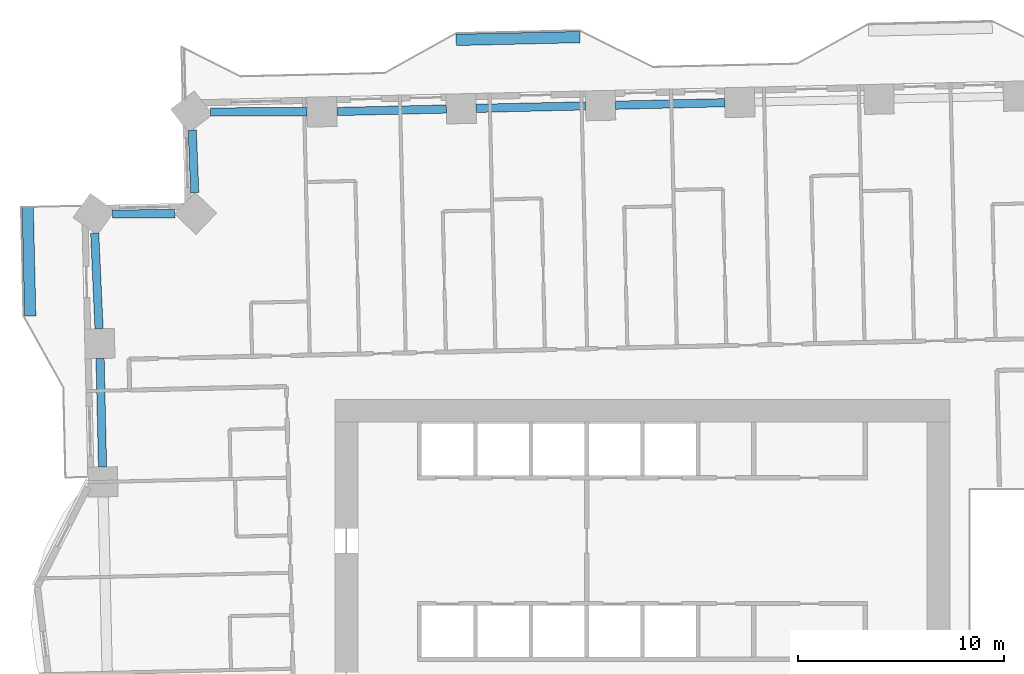
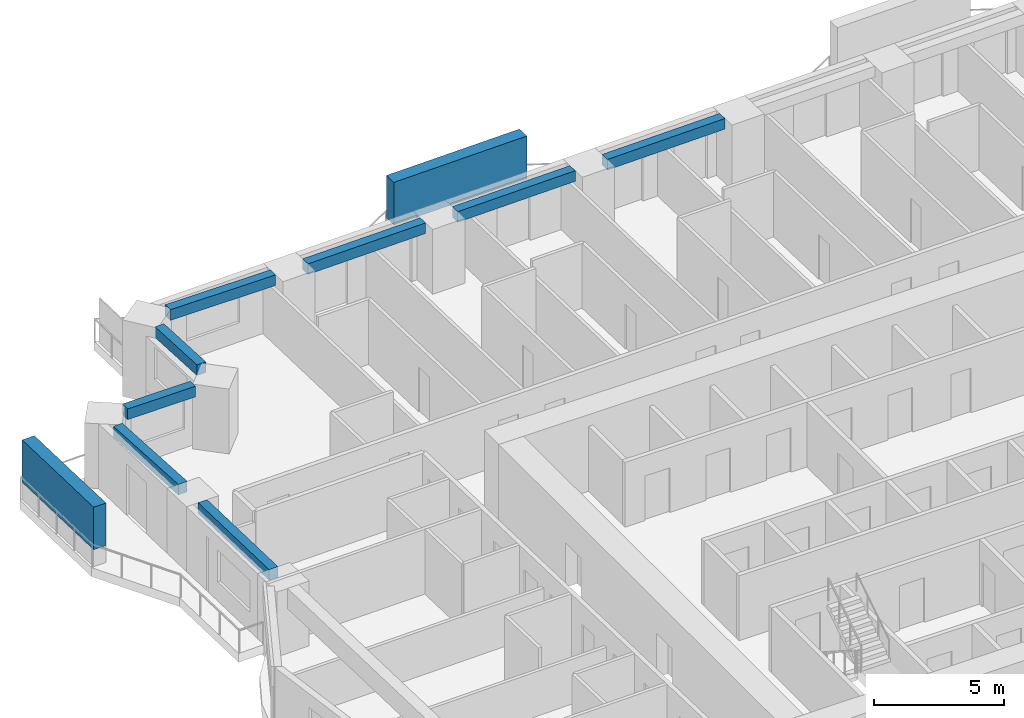
# One storey, part 3 of 17: 8 beams, 2 members.
"""IFC4 building model written with IfcOpenShell, lengths in metres."""

from ifc_helpers import new_model, si_unit, direction, frame, origin, origin_2d, place, context, subcontext, project, spatial, rectangle, extrude, material, material_profile, profile_set, type_object, element, save


model = new_model("IFC4")

# Units and contexts
model_context = context("Model", 3, precision=1e-05, world=origin(), true_north=direction((0.0, 1.0)))
body_context = subcontext(model_context, "Body", "Model", "MODEL_VIEW")
ifc_project = project(units=[si_unit("LENGTHUNIT", "METRE"), si_unit("AREAUNIT", "SQUARE_METRE"), si_unit("VOLUMEUNIT", "CUBIC_METRE"), si_unit("PLANEANGLEUNIT", "RADIAN"), si_unit("MASSUNIT", "GRAM", prefix="KILO")], contexts=[model_context])

# Site, building, storey
site_placement = place(None, origin())
site = spatial("IfcSite", under=ifc_project, at=site_placement, CompositionType="ELEMENT")
building_placement = place(site_placement, origin())
building = spatial("IfcBuilding", under=site, at=building_placement, Name="Mangrove Gate Tower", CompositionType="ELEMENT")
storey_placement = place(building_placement, frame((0.0, 0.0, 79.300048828125)))
storey = spatial("IfcBuildingStorey", under=building, at=storey_placement, Name="L19", CompositionType="ELEMENT", Elevation=79.300048828125)

# Members
ifc_material_1 = material(Name="Planting on aluminium trellis", Category="aluminium")
ifc_material_profile_1 = material_profile(ifc_material_1, rectangle(XDim=0.550048828125, YDim=2.0, at=origin_2d()))
ifc_profile_set_1 = profile_set([ifc_material_profile_1], Name="Planting on aluminium trellis")
member_type = type_object("IfcMemberType", Name="Balcony greenery screen 550x2000", PredefinedType="USERDEFINED", material=ifc_profile_set_1)
member_1_placement = place(storey_placement, frame((-9.031005859375, 29.3310546875, 1.800048828125), z_axis=(0.999743094499, 0.022665943652, 0.0), x_axis=(-0.022665943652, 0.999743094499, 0.0)))
element("IfcMember", 1, at=member_1_placement, inside=storey, type_object=member_type, Name="GREEN SCREEN L19 N1.1", ObjectType="PLANTING", PredefinedType="USERDEFINED", context=body_context, shape_type="SweptSolid", body=[
    extrude(rectangle(XDim=0.550048828125, YDim=2.0, at=origin_2d()), origin(), (0.0, 0.0, 1.0), 5.99951171875),
])
member_2_placement = place(storey_placement, frame((-29.68310546875, 15.944091796875, 1.800048828125), z_axis=(-0.022805127419, 0.999739929263, 0.0), x_axis=(-0.999739929263, -0.022805127419, 0.0)))
element("IfcMember", 2, at=member_2_placement, inside=storey, type_object=member_type, Name="GREEN SCREEN L19 W0.1", ObjectType="PLANTING", PredefinedType="USERDEFINED", context=body_context, shape_type="SweptSolid", body=[
    extrude(rectangle(XDim=0.550048828125, YDim=2.0, at=origin_2d()), origin(), (0.0, 0.0, 1.0), 5.29931640625),
])

# Beams
ifc_material_2 = material(Name="Concrete C50/60", Category="concrete")
ifc_material_profile_2 = material_profile(ifc_material_2, rectangle(XDim=0.39990234375, YDim=0.5, at=origin_2d()))
ifc_profile_set_2 = profile_set([ifc_material_profile_2], Name="Concrete C50/60")
beam_type = type_object("IfcBeamType", Name="Edge beam RC 400x500 C50/60", PredefinedType="BEAM", material=ifc_profile_set_2)
beam_1_placement = place(storey_placement, frame((3.99365234375, 26.28564453125, 2.800048828125), z_axis=(-0.99974349642, -0.02264820887, 0.0), x_axis=(0.02264820887, -0.99974349642, 0.0)))
element("IfcBeam", 3, at=beam_1_placement, inside=storey, type_object=beam_type, Name="Edge beam L19 23", PredefinedType="BEAM", context=body_context, shape_type="SweptSolid", body=[
    extrude(rectangle(XDim=0.39990234375, YDim=0.5, at=origin_2d()), origin(), (0.0, 0.0, 1.0), 5.3037109375),
])
beam_2_placement = place(storey_placement, frame((-2.75830078125, 26.132568359375, 2.800048828125), z_axis=(-0.999740288296, -0.022789382579, 0.0), x_axis=(0.022789382579, -0.999740288296, 0.0)))
element("IfcBeam", 4, at=beam_2_placement, inside=storey, type_object=beam_type, Name="Edge beam L19 24", PredefinedType="BEAM", context=body_context, shape_type="SweptSolid", body=[
    extrude(rectangle(XDim=0.39990234375, YDim=0.5, at=origin_2d()), origin(), (0.0, 0.0, 1.0), 5.302978515625),
])
beam_3_placement = place(storey_placement, frame((-9.50927734375, 25.978759765625, 2.800048828125), z_axis=(-0.999743520031, -0.022647166622, 0.0), x_axis=(0.022647166622, -0.999743520031, 0.0)))
element("IfcBeam", 5, at=beam_3_placement, inside=storey, type_object=beam_type, Name="Edge beam L19 25", PredefinedType="BEAM", context=body_context, shape_type="SweptSolid", body=[
    extrude(rectangle(XDim=0.39990234375, YDim=0.5, at=origin_2d()), origin(), (0.0, 0.0, 1.0), 5.303955078125),
])
beam_4_placement = place(storey_placement, frame((-16.26171875, 25.842041015625, 2.800048828125), z_axis=(-0.999999987755, -0.000156494521, 0.0), x_axis=(0.000156494521, -0.999999987755, 0.0)))
element("IfcBeam", 6, at=beam_4_placement, inside=storey, type_object=beam_type, Name="Edge beam L19 26", PredefinedType="BEAM", context=body_context, shape_type="SweptSolid", body=[
    extrude(rectangle(XDim=0.39990234375, YDim=0.5, at=origin_2d()), origin(), (0.0, 0.0, 1.0), 4.68017578125),
])
beam_5_placement = place(storey_placement, frame((-21.82470703125, 24.950439453125, 2.800048828125), z_axis=(0.039073580826, -0.999236336049, 0.0), x_axis=(0.999236336049, 0.039073580826, 0.0)))
element("IfcBeam", 7, at=beam_5_placement, inside=storey, type_object=beam_type, Name="Edge beam L19 27", PredefinedType="BEAM", context=body_context, shape_type="SweptSolid", body=[
    extrude(rectangle(XDim=0.39990234375, YDim=0.5, at=origin_2d()), origin(), (0.0, 0.0, 1.0), 3.0302734375),
])
beam_6_placement = place(storey_placement, frame((-22.67578125, 20.907470703125, 2.800048828125), z_axis=(-0.99997920912, -0.006448358595, 0.0), x_axis=(0.006448358595, -0.99997920912, 0.0)))
element("IfcBeam", 8, at=beam_6_placement, inside=storey, type_object=beam_type, Name="Edge beam L19 28", PredefinedType="BEAM", context=body_context, shape_type="SweptSolid", body=[
    extrude(rectangle(XDim=0.39990234375, YDim=0.5, at=origin_2d()), origin(), (0.0, 0.0, 1.0), 3.02880859375),
])
beam_7_placement = place(storey_placement, frame((-26.55615234375, 19.96337890625, 2.800048828125), z_axis=(0.045496038402, -0.998964519135, 0.0), x_axis=(0.998964519135, 0.045496038402, 0.0)))
element("IfcBeam", 9, at=beam_7_placement, inside=storey, type_object=beam_type, Name="Edge beam L19 29", PredefinedType="BEAM", context=body_context, shape_type="SweptSolid", body=[
    extrude(rectangle(XDim=0.39990234375, YDim=0.5, at=origin_2d()), origin(), (0.0, 0.0, 1.0), 4.636474609375),
])
beam_8_placement = place(storey_placement, frame((-26.295654296875, 13.882568359375, 2.800048828125), z_axis=(0.02264340849, -0.999743605157, 0.0), x_axis=(0.999743605157, 0.02264340849, 0.0)))
element("IfcBeam", 10, at=beam_8_placement, inside=storey, type_object=beam_type, Name="Edge beam L19 30", PredefinedType="BEAM", context=body_context, shape_type="SweptSolid", body=[
    extrude(rectangle(XDim=0.39990234375, YDim=0.5, at=origin_2d()), origin(), (0.0, 0.0, 1.0), 5.26171875),
])

save(model, "model.ifc")
